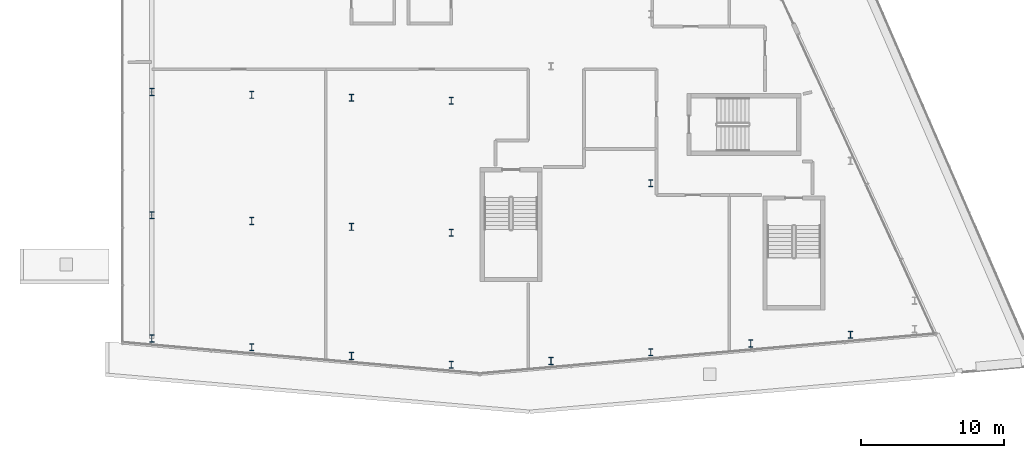
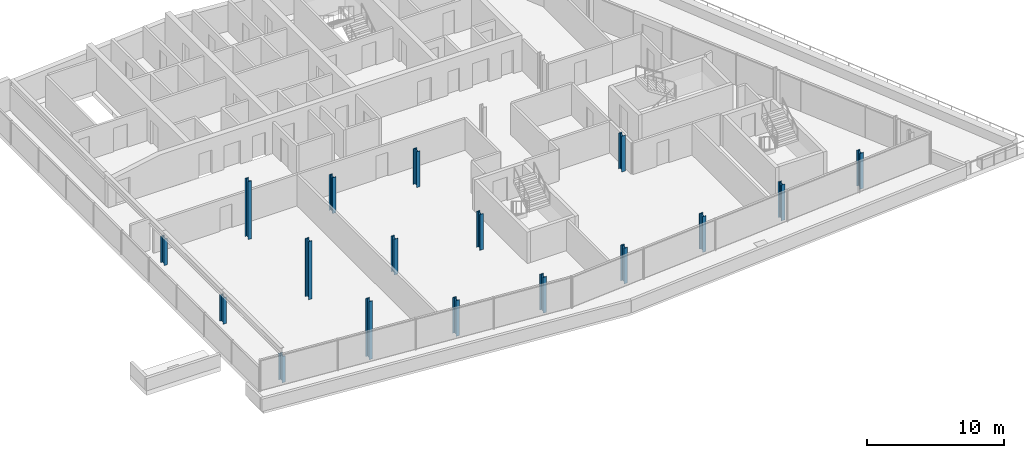
# One storey, part 1 of 17: 17 columns.
"""IFC4 building model written with IfcOpenShell, lengths in metres."""

from ifc_helpers import new_model, si_unit, direction, frame, origin, origin_2d, place, context, subcontext, project, spatial, i_section, extrude, material, material_profile, profile_set, type_object, element, save


model = new_model("IFC4")

# Units and contexts
model_context = context("Model", 3, precision=1e-05, world=origin(), true_north=direction((0.0, 1.0)))
body_context = subcontext(model_context, "Body", "Model", "MODEL_VIEW")
ifc_project = project(units=[si_unit("LENGTHUNIT", "METRE"), si_unit("AREAUNIT", "SQUARE_METRE"), si_unit("VOLUMEUNIT", "CUBIC_METRE"), si_unit("PLANEANGLEUNIT", "RADIAN"), si_unit("MASSUNIT", "GRAM", prefix="KILO")], contexts=[model_context])

# Site, building, storey
site_placement = place(None, origin())
site = spatial("IfcSite", under=ifc_project, at=site_placement, CompositionType="ELEMENT")
building_placement = place(site_placement, origin())
building = spatial("IfcBuilding", under=site, at=building_placement, Name="Wharfspan Tower", CompositionType="ELEMENT")
storey_placement = place(building_placement, frame((0.0, 0.0, 261.100098)))
storey = spatial("IfcBuildingStorey", under=building, at=storey_placement, Name="L66", CompositionType="ELEMENT", Elevation=261.100098)

# Columns
ifc_material = material(Name="Steel S355J2", Category="steel")
ifc_material_profile = material_profile(ifc_material, i_section(OverallWidth=0.300049, OverallDepth=0.5, WebThickness=0.014404, FlangeThickness=0.028076, FilletRadius=0.0271, at=origin_2d()))
ifc_profile_set = profile_set([ifc_material_profile], Name="Steel S355J2")
column_type = type_object("IfcColumnType", Name="Crown column HEB 500", PredefinedType="COLUMN", material=ifc_profile_set)
for number, where, z_axis, x_axis, name in (
    (1, (23.0, 8.512695, 0.0), (0.0, 0.0, 1.0), (1.0, 0.0, 0.0), "Crown column CR1 9 L66"),
    (2, (23.0, 17.158447, 0.0), (0.0, 0.0, 1.0), (1.0, 0.0, 0.0), "Crown column CR1 17 L66"),
    (3, (23.0, 25.804199, 0.0), (0.0, 0.0, 1.0), (1.0, 0.0, 0.0), "Crown column CR1 26 L66"),
):
    element("IfcColumn", number, at=place(storey_placement, frame(where, z_axis=z_axis, x_axis=x_axis)), inside=storey, type_object=column_type, Name=name, PredefinedType="COLUMN", context=body_context, shape_type="SweptSolid", body=[
        extrude(i_section(OverallWidth=0.300049, OverallDepth=0.5, WebThickness=0.014404, FlangeThickness=0.028076, FilletRadius=0.0271, at=origin_2d()), origin(), (0.0, 0.0, 1.0), 2.365479),
    ])
for number, where, z_axis, x_axis, name in (
    (4, (30.0, 7.900146, 0.0), (0.0, 0.0, 1.0), (1.0, 0.0, 0.0), "Crown column CR2 8 L66"),
    (5, (30.0, 16.75, 0.0), (0.0, 0.0, 1.0), (1.0, 0.0, 0.0), "Crown column CR2 17 L66"),
    (6, (30.0, 25.600098, 0.0), (0.0, 0.0, 1.0), (1.0, 0.0, 0.0), "Crown column CR2 26 L66"),
):
    element("IfcColumn", number, at=place(storey_placement, frame(where, z_axis=z_axis, x_axis=x_axis)), inside=storey, type_object=column_type, Name=name, PredefinedType="COLUMN", context=body_context, shape_type="SweptSolid", body=[
        extrude(i_section(OverallWidth=0.300049, OverallDepth=0.5, WebThickness=0.014404, FlangeThickness=0.028076, FilletRadius=0.0271, at=origin_2d()), origin(), (0.0, 0.0, 1.0), 5.193604),
    ])
for number, where, z_axis, x_axis, name in (
    (7, (37.0, 7.287842, 0.0), (0.0, 0.0, 1.0), (1.0, 0.0, 0.0), "Crown column CR3 7 L66"),
    (8, (37.0, 16.341797, 0.0), (0.0, 0.0, 1.0), (1.0, 0.0, 0.0), "Crown column CR3 16 L66"),
    (9, (37.0, 25.395996, 0.0), (0.0, 0.0, 1.0), (1.0, 0.0, 0.0), "Crown column CR3 25 L66"),
    (10, (44.0, 6.675293, 0.0), (0.0, 0.0, 1.0), (1.0, 0.0, 0.0), "Crown column CR4 7 L66"),
    (11, (44.0, 15.933594, 0.0), (0.0, 0.0, 1.0), (1.0, 0.0, 0.0), "Crown column CR4 16 L66"),
    (12, (44.0, 25.191895, 0.0), (0.0, 0.0, 1.0), (1.0, 0.0, 0.0), "Crown column CR4 25 L66"),
    (13, (51.0, 6.937744, 0.0), (0.0, 0.0, 1.0), (1.0, 0.0, 0.0), "Crown column CR5 7 L66"),
    (14, (58.0, 7.550293, 0.0), (0.0, 0.0, 1.0), (1.0, 0.0, 0.0), "Crown column CR6 8 L66"),
    (15, (58.0, 19.400146, 0.0), (0.0, 0.0, 1.0), (1.0, 0.0, 0.0), "Crown column CR6 19 L66"),
    (16, (65.0, 8.162598, 0.0), (0.0, 0.0, 1.0), (1.0, 0.0, 0.0), "Crown column CR7 8 L66"),
    (17, (72.0, 8.775146, 0.0), (0.0, 0.0, 1.0), (1.0, 0.0, 0.0), "Crown column CR8 9 L66"),
):
    element("IfcColumn", number, at=place(storey_placement, frame(where, z_axis=z_axis, x_axis=x_axis)), inside=storey, type_object=column_type, Name=name, PredefinedType="COLUMN", context=body_context, shape_type="SweptSolid", body=[
        extrude(i_section(OverallWidth=0.300049, OverallDepth=0.5, WebThickness=0.014404, FlangeThickness=0.028076, FilletRadius=0.0271, at=origin_2d()), origin(), (0.0, 0.0, 1.0), 3.199951),
    ])

save(model, "model.ifc")
